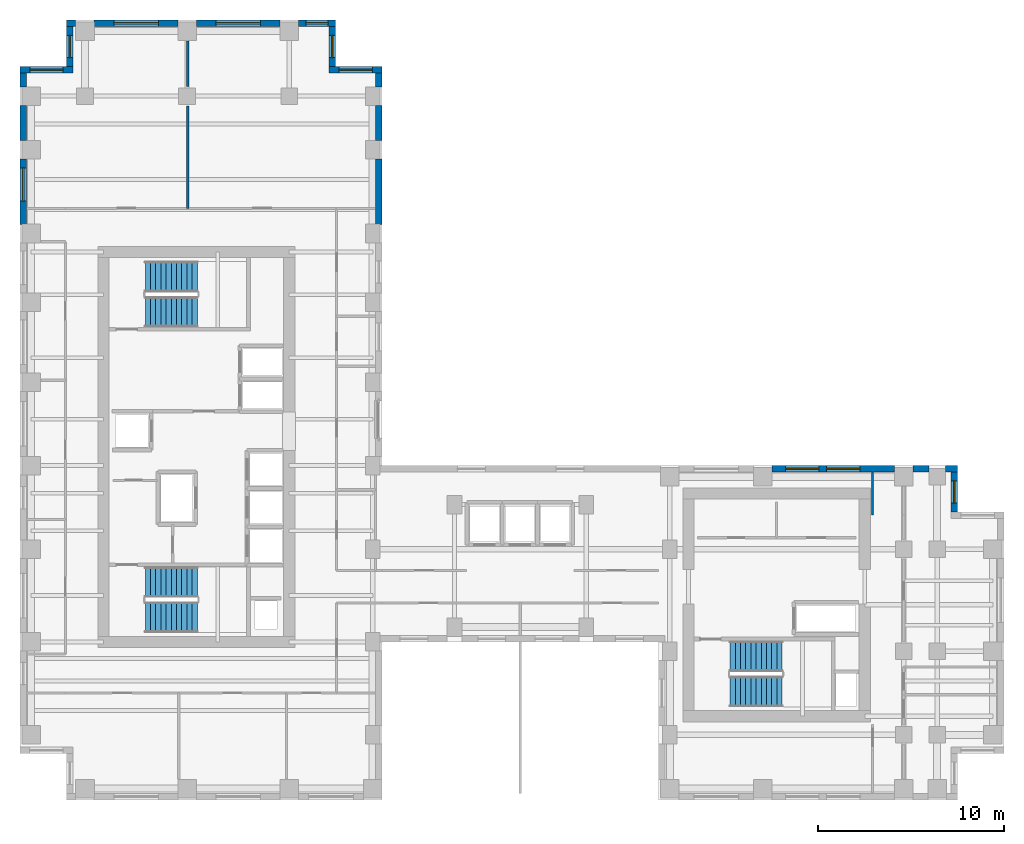
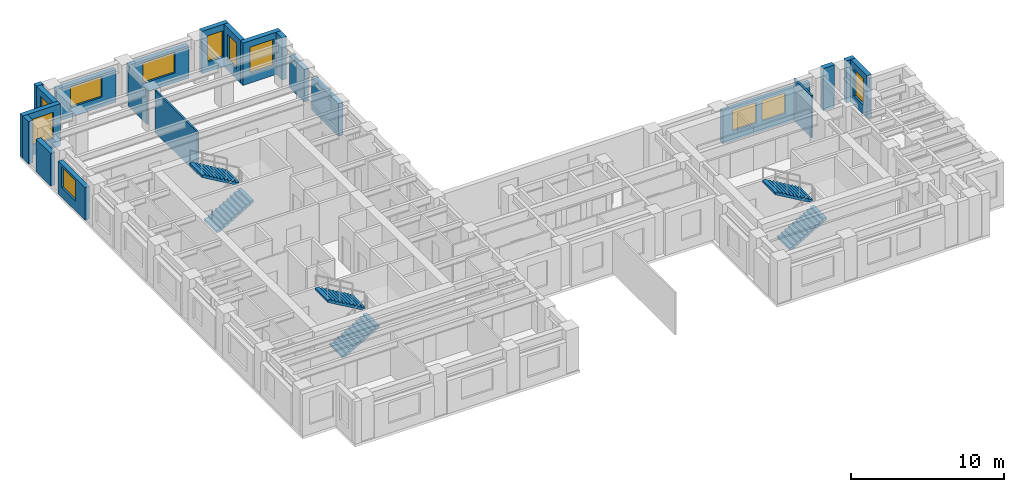
# One storey, part 9 of 11: 21 walls, 11 windows, 6 stair flights, 11 openings, 3 elements without a shape of their own.
"""IFC4 building model written with IfcOpenShell, lengths in metres."""

from ifc_helpers import new_model, si_unit, direction, frame, frame_2d, origin, place, context, subcontext, project, spatial, polyline, rectangle, outline, extrude, source, transform, mapped, material, layer, layer_set, type_object, element, fill, aggregate, save


model = new_model("IFC4")

# Units and contexts
model_context = context("Model", 3, precision=1e-05, world=origin(), true_north=direction((0.0, 1.0)))
body_context = subcontext(model_context, "Body", "Model", "MODEL_VIEW")
ifc_project = project(units=[si_unit("LENGTHUNIT", "METRE"), si_unit("AREAUNIT", "SQUARE_METRE"), si_unit("VOLUMEUNIT", "CUBIC_METRE"), si_unit("PLANEANGLEUNIT", "RADIAN"), si_unit("MASSUNIT", "GRAM", prefix="KILO")], contexts=[model_context])

# Site, building, storey
site_placement = place(None, origin())
site = spatial("IfcSite", under=ifc_project, at=site_placement, CompositionType="ELEMENT")
building_placement = place(site_placement, origin())
building = spatial("IfcBuilding", under=site, at=building_placement, Name="Kharzan Plaza Tower", CompositionType="ELEMENT")
storey_placement = place(building_placement, frame((0.0, 0.0, 182.699951171875)))
storey = spatial("IfcBuildingStorey", under=building, at=storey_placement, Name="L49", CompositionType="ELEMENT", Elevation=182.699951171875)

# Wall, opening, window
ifc_material_1 = material(Name="Concrete C40/50", Category="concrete")
ifc_layer_1 = layer(ifc_material_1, 0.35009765625)
ifc_layer_set_1 = layer_set([ifc_layer_1], Name="Concrete C40/50")
wall_type_1 = type_object("IfcWallType", Name="WL-EXT-MAS-Z3", PredefinedType="SOLIDWALL", material=ifc_layer_set_1)
wall_1_placement = place(storey_placement, frame((19.5, 39.324951171875, 0.0), z_axis=(0.0, 0.0, 1.0), x_axis=(-1.0, 0.0, 0.0)))
wall_1 = element("IfcWall", 1, at=wall_1_placement, inside=storey, type_object=wall_type_1, Name="L49 Masonry-Frame Exterior Wall 01", PredefinedType="SOLIDWALL", context=body_context, shape_type="SweptSolid", body=[
    extrude(rectangle(XDim=2.85009765625, YDim=0.35009765625, at=frame_2d((1.425048828125, 0.0))), origin(), (0.0, 0.0, 1.0), 3.385009765625),
])
opening_1_placement = place(wall_1_placement, frame((0.52490234375, 0.0, 0.780029296875)))
opening_1 = element("IfcOpeningElement", 2, at=opening_1_placement, cuts=wall_1, Name="Opening W1", PredefinedType="OPENING", context=body_context, shape_type="SweptSolid", body=[
    extrude(rectangle(XDim=1.800048828125, YDim=2.10009765625, at=frame_2d((0.89990234375, 1.050048828125))), frame((0.0, 0.18505859375, 0.0), z_axis=(0.0, -1.0, 0.0), x_axis=(1.0, 0.0, 0.0)), (0.0, 0.0, 1.0), 0.3701171875),
])
ifc_material_2 = material(Name="Low-E Double Glazing", Category="glass")
window_type_1 = type_object("IfcWindowType", Name="WN-REC-1800x2100", PartitioningType="SINGLE_PANEL", PredefinedType="WINDOW", material=ifc_material_2)
shared_shape_1 = source(origin(), body_context, "Body", "SweptSolid", [
    extrude(rectangle(XDim=1.800048828125, YDim=2.10009765625, at=frame_2d((0.89990234375, 1.050048828125))), frame((0.0, 0.030029296875, 0.0), z_axis=(0.0, -1.0, 0.0), x_axis=(1.0, 0.0, 0.0)), (0.0, 0.0, 1.0), 0.06005859375),
])
window_1_placement = place(opening_1_placement, origin())
window_1 = element("IfcWindow", 3, at=window_1_placement, inside=storey, type_object=window_type_1, Name="L49 Recessed Solar-Control Window 01-1", OverallHeight=2.10009765625, OverallWidth=1.800048828125, PartitioningType="SINGLE_PANEL", PredefinedType="WINDOW", context=body_context, shape_type="MappedRepresentation", body=[
    mapped(shared_shape_1, transform((0.0, 0.0, 0.0), x_axis=(1.0, 0.0, 0.0), y_axis=(0.0, 1.0, 0.0), z_axis=(0.0, 0.0, 1.0))),
])
fill(opening_1, window_1)

wall_2_placement = place(storey_placement, frame((16.824951171875, 39.498046875, 0.0), z_axis=(0.0, 0.0, 1.0), x_axis=(0.0, 1.0, 0.0)))
wall_2 = element("IfcWall", 4, at=wall_2_placement, inside=storey, type_object=wall_type_1, Name="L49 Masonry-Frame Exterior Wall 02", PredefinedType="SOLIDWALL", context=body_context, shape_type="SweptSolid", body=[
    extrude(rectangle(XDim=2.154052734375, YDim=0.35009765625, at=frame_2d((1.0771484375, 0.0))), origin(), (0.0, 0.0, 1.0), 3.385009765625),
])
opening_2_placement = place(wall_2_placement, frame((0.47705078125, 0.0, 0.780029296875)))
opening_2 = element("IfcOpeningElement", 5, at=opening_2_placement, cuts=wall_2, Name="Opening W3", PredefinedType="OPENING", context=body_context, shape_type="SweptSolid", body=[
    extrude(rectangle(XDim=1.199951171875, YDim=2.10009765625, at=frame_2d((0.60009765625, 1.050048828125))), frame((0.0, 0.18505859375, 0.0), z_axis=(0.0, -1.0, 0.0), x_axis=(1.0, 0.0, 0.0)), (0.0, 0.0, 1.0), 0.3701171875),
])
window_type_2 = type_object("IfcWindowType", Name="WN-REC-1200x2100", PartitioningType="SINGLE_PANEL", PredefinedType="WINDOW", material=ifc_material_2)
shared_shape_2 = source(origin(), body_context, "Body", "SweptSolid", [
    extrude(rectangle(XDim=1.199951171875, YDim=2.10009765625, at=frame_2d((0.60009765625, 1.050048828125))), frame((0.0, 0.030029296875, 0.0), z_axis=(0.0, -1.0, 0.0), x_axis=(1.0, 0.0, 0.0)), (0.0, 0.0, 1.0), 0.06005859375),
])
window_2_placement = place(opening_2_placement, origin())
window_2 = element("IfcWindow", 6, at=window_2_placement, inside=storey, type_object=window_type_2, Name="L49 Recessed Solar-Control Window 02-1", OverallHeight=2.10009765625, OverallWidth=1.199951171875, PartitioningType="SINGLE_PANEL", PredefinedType="WINDOW", context=body_context, shape_type="MappedRepresentation", body=[
    mapped(shared_shape_2, transform((0.0, 0.0, 0.0), x_axis=(1.0, 0.0, 0.0), y_axis=(0.0, 1.0, 0.0), z_axis=(0.0, 0.0, 1.0))),
])
fill(opening_2, window_2)

wall_3_placement = place(storey_placement, frame((17.0, 41.824951171875, 0.0), z_axis=(0.0, 0.0, 1.0), x_axis=(-1.0, 0.0, 0.0)))
wall_3 = element("IfcWall", 7, at=wall_3_placement, inside=storey, type_object=wall_type_1, Name="L49 Masonry-Frame Exterior Wall 03", PredefinedType="SOLIDWALL", context=body_context, shape_type="SweptSolid", body=[
    extrude(rectangle(XDim=2.001953125, YDim=0.35009765625, at=frame_2d((1.0009765625, 0.0))), origin(), (0.0, 0.0, 1.0), 3.385009765625),
])
opening_3_placement = place(wall_3_placement, frame((0.40087890625, 0.0, 0.780029296875)))
opening_3 = element("IfcOpeningElement", 8, at=opening_3_placement, cuts=wall_3, Name="Opening W3", PredefinedType="OPENING", context=body_context, shape_type="SweptSolid", body=[
    extrude(rectangle(XDim=1.199951171875, YDim=2.10009765625, at=frame_2d((0.60009765625, 1.050048828125))), frame((0.0, 0.18505859375, 0.0), z_axis=(0.0, -1.0, 0.0), x_axis=(1.0, 0.0, 0.0)), (0.0, 0.0, 1.0), 0.3701171875),
])
window_3_placement = place(opening_3_placement, origin())
window_3 = element("IfcWindow", 9, at=window_3_placement, inside=storey, type_object=window_type_2, Name="L49 Recessed Solar-Control Window 03-1", OverallHeight=2.10009765625, OverallWidth=1.199951171875, PartitioningType="SINGLE_PANEL", PredefinedType="WINDOW", context=body_context, shape_type="MappedRepresentation", body=[
    mapped(shared_shape_2, transform((0.0, 0.0, 0.0), x_axis=(1.0, 0.0, 0.0), y_axis=(0.0, 1.0, 0.0), z_axis=(0.0, 0.0, 1.0))),
])
fill(opening_3, window_3)

wall_4_placement = place(storey_placement, frame((14.001953125, 41.824951171875, 0.0), z_axis=(0.0, 0.0, 1.0), x_axis=(-1.0, 0.0, 0.0)))
wall_4 = element("IfcWall", 10, at=wall_4_placement, inside=storey, type_object=wall_type_1, Name="L49 Masonry-Frame Exterior Wall 04", PredefinedType="SOLIDWALL", context=body_context, shape_type="SweptSolid", body=[
    extrude(rectangle(XDim=4.50390625, YDim=0.35009765625, at=frame_2d((2.251953125, 0.0))), origin(), (0.0, 0.0, 1.0), 2.612060546875),
])
opening_4_placement = place(wall_4_placement, frame((1.052001953125, 0.0, 0.780029296875)))
opening_4 = element("IfcOpeningElement", 11, at=opening_4_placement, cuts=wall_4, Name="Opening W2", PredefinedType="OPENING", context=body_context, shape_type="SweptSolid", body=[
    extrude(rectangle(XDim=2.39990234375, YDim=1.652099609375, at=frame_2d((1.199951171875, 0.826171875))), frame((0.0, 0.18505859375, 0.0), z_axis=(0.0, -1.0, 0.0), x_axis=(1.0, 0.0, 0.0)), (0.0, 0.0, 1.0), 0.3701171875),
])
window_type_3 = type_object("IfcWindowType", Name="WN-REC-2400x2100", PartitioningType="SINGLE_PANEL", PredefinedType="WINDOW", material=ifc_material_2)
shared_shape_3 = source(origin(), body_context, "Body", "SweptSolid", [
    extrude(rectangle(XDim=2.39990234375, YDim=1.652099609375, at=frame_2d((1.199951171875, 0.826171875))), frame((0.0, 0.030029296875, 0.0), z_axis=(0.0, -1.0, 0.0), x_axis=(1.0, 0.0, 0.0)), (0.0, 0.0, 1.0), 0.06005859375),
])
window_4_placement = place(opening_4_placement, origin())
window_4 = element("IfcWindow", 12, at=window_4_placement, inside=storey, type_object=window_type_3, Name="L49 Wide Recessed Solar-Control Window 04-1", OverallHeight=1.652099609375, OverallWidth=2.39990234375, PartitioningType="SINGLE_PANEL", PredefinedType="WINDOW", context=body_context, shape_type="MappedRepresentation", body=[
    mapped(shared_shape_3, transform((0.0, 0.0, 0.0), x_axis=(1.0, 0.0, 0.0), y_axis=(0.0, 1.0, 0.0), z_axis=(0.0, 0.0, 1.0))),
])
fill(opening_4, window_4)

wall_5_placement = place(storey_placement, frame((8.501953125, 41.824951171875, 0.0), z_axis=(0.0, 0.0, 1.0), x_axis=(-1.0, 0.0, 0.0)))
wall_5 = element("IfcWall", 13, at=wall_5_placement, inside=storey, type_object=wall_type_1, Name="L49 Masonry-Frame Exterior Wall 05", PredefinedType="SOLIDWALL", context=body_context, shape_type="SweptSolid", body=[
    extrude(rectangle(XDim=4.50390625, YDim=0.35009765625, at=frame_2d((2.251953125, 0.0))), origin(), (0.0, 0.0, 1.0), 2.612060546875),
])
opening_5_placement = place(wall_5_placement, frame((1.052001953125, 0.0, 0.780029296875)))
opening_5 = element("IfcOpeningElement", 14, at=opening_5_placement, cuts=wall_5, Name="Opening W2", PredefinedType="OPENING", context=body_context, shape_type="SweptSolid", body=[
    extrude(rectangle(XDim=2.39990234375, YDim=1.652099609375, at=frame_2d((1.199951171875, 0.826171875))), frame((0.0, 0.18505859375, 0.0), z_axis=(0.0, -1.0, 0.0), x_axis=(1.0, 0.0, 0.0)), (0.0, 0.0, 1.0), 0.3701171875),
])
window_5_placement = place(opening_5_placement, origin())
window_5 = element("IfcWindow", 15, at=window_5_placement, inside=storey, type_object=window_type_3, Name="L49 Wide Recessed Solar-Control Window 05-1", OverallHeight=1.652099609375, OverallWidth=2.39990234375, PartitioningType="SINGLE_PANEL", PredefinedType="WINDOW", context=body_context, shape_type="MappedRepresentation", body=[
    mapped(shared_shape_3, transform((0.0, 0.0, 0.0), x_axis=(1.0, 0.0, 0.0), y_axis=(0.0, 1.0, 0.0), z_axis=(0.0, 0.0, 1.0))),
])
fill(opening_5, window_5)

wall_6_placement = place(storey_placement, frame((2.675048828125, 41.652099609375, 0.0), z_axis=(0.0, 0.0, 1.0), x_axis=(0.0, -1.0, 0.0)))
wall_6 = element("IfcWall", 16, at=wall_6_placement, inside=storey, type_object=wall_type_1, Name="L49 Masonry-Frame Exterior Wall 07", PredefinedType="SOLIDWALL", context=body_context, shape_type="SweptSolid", body=[
    extrude(rectangle(XDim=2.154052734375, YDim=0.35009765625, at=frame_2d((1.0771484375, 0.0))), origin(), (0.0, 0.0, 1.0), 3.385009765625),
])
opening_6_placement = place(wall_6_placement, frame((0.47705078125, 0.0, 0.780029296875)))
opening_6 = element("IfcOpeningElement", 17, at=opening_6_placement, cuts=wall_6, Name="Opening W3", PredefinedType="OPENING", context=body_context, shape_type="SweptSolid", body=[
    extrude(rectangle(XDim=1.199951171875, YDim=2.10009765625, at=frame_2d((0.60009765625, 1.050048828125))), frame((0.0, 0.18505859375, 0.0), z_axis=(0.0, -1.0, 0.0), x_axis=(1.0, 0.0, 0.0)), (0.0, 0.0, 1.0), 0.3701171875),
])
window_6_placement = place(opening_6_placement, origin())
window_6 = element("IfcWindow", 18, at=window_6_placement, inside=storey, type_object=window_type_2, Name="L49 Recessed Solar-Control Window 07-1", OverallHeight=2.10009765625, OverallWidth=1.199951171875, PartitioningType="SINGLE_PANEL", PredefinedType="WINDOW", context=body_context, shape_type="MappedRepresentation", body=[
    mapped(shared_shape_2, transform((0.0, 0.0, 0.0), x_axis=(1.0, 0.0, 0.0), y_axis=(0.0, 1.0, 0.0), z_axis=(0.0, 0.0, 1.0))),
])
fill(opening_6, window_6)

wall_7_placement = place(storey_placement, frame((2.85009765625, 39.324951171875, 0.0), z_axis=(0.0, 0.0, 1.0), x_axis=(-1.0, 0.0, 0.0)))
wall_7 = element("IfcWall", 19, at=wall_7_placement, inside=storey, type_object=wall_type_1, Name="L49 Masonry-Frame Exterior Wall 08", PredefinedType="SOLIDWALL", context=body_context, shape_type="SweptSolid", body=[
    extrude(rectangle(XDim=2.85009765625, YDim=0.35009765625, at=frame_2d((1.425048828125, 0.0))), origin(), (0.0, 0.0, 1.0), 3.385009765625),
])
opening_7_placement = place(wall_7_placement, frame((0.52490234375, 0.0, 0.780029296875)))
opening_7 = element("IfcOpeningElement", 20, at=opening_7_placement, cuts=wall_7, Name="Opening W1", PredefinedType="OPENING", context=body_context, shape_type="SweptSolid", body=[
    extrude(rectangle(XDim=1.800048828125, YDim=2.10009765625, at=frame_2d((0.89990234375, 1.050048828125))), frame((0.0, 0.18505859375, 0.0), z_axis=(0.0, -1.0, 0.0), x_axis=(1.0, 0.0, 0.0)), (0.0, 0.0, 1.0), 0.3701171875),
])
window_7_placement = place(opening_7_placement, origin())
window_7 = element("IfcWindow", 21, at=window_7_placement, inside=storey, type_object=window_type_1, Name="L49 Recessed Solar-Control Window 08-1", OverallHeight=2.10009765625, OverallWidth=1.800048828125, PartitioningType="SINGLE_PANEL", PredefinedType="WINDOW", context=body_context, shape_type="MappedRepresentation", body=[
    mapped(shared_shape_1, transform((0.0, 0.0, 0.0), x_axis=(1.0, 0.0, 0.0), y_axis=(0.0, 1.0, 0.0), z_axis=(0.0, 0.0, 1.0))),
])
fill(opening_7, window_7)

wall_8_placement = place(storey_placement, frame((0.175048828125, 34.501953125, 0.0), z_axis=(0.0, 0.0, 1.0), x_axis=(0.0, -1.0, 0.0)))
wall_8 = element("IfcWall", 22, at=wall_8_placement, inside=storey, type_object=wall_type_1, Name="L49 Masonry-Frame Exterior Wall 11", PredefinedType="SOLIDWALL", context=body_context, shape_type="SweptSolid", body=[
    extrude(rectangle(XDim=3.50390625, YDim=0.35009765625, at=frame_2d((1.751953125, 0.0))), origin(), (0.0, 0.0, 1.0), 2.612060546875),
])
opening_8_placement = place(wall_8_placement, frame((0.4609375, 0.0, 0.780029296875)))
opening_8 = element("IfcOpeningElement", 23, at=opening_8_placement, cuts=wall_8, Name="Opening W1", PredefinedType="OPENING", context=body_context, shape_type="SweptSolid", body=[
    extrude(rectangle(XDim=1.800048828125, YDim=1.652099609375, at=frame_2d((0.89990234375, 0.826171875))), frame((0.0, 0.18505859375, 0.0), z_axis=(0.0, -1.0, 0.0), x_axis=(1.0, 0.0, 0.0)), (0.0, 0.0, 1.0), 0.3701171875),
])
shared_shape_4 = source(origin(), body_context, "Body", "SweptSolid", [
    extrude(rectangle(XDim=1.800048828125, YDim=1.652099609375, at=frame_2d((0.89990234375, 0.826171875))), frame((0.0, 0.030029296875, 0.0), z_axis=(0.0, -1.0, 0.0), x_axis=(1.0, 0.0, 0.0)), (0.0, 0.0, 1.0), 0.06005859375),
])
window_8_placement = place(opening_8_placement, origin())
window_8 = element("IfcWindow", 24, at=window_8_placement, inside=storey, type_object=window_type_1, Name="L49 Recessed Solar-Control Window 11-1", OverallHeight=1.652099609375, OverallWidth=1.800048828125, PartitioningType="SINGLE_PANEL", PredefinedType="WINDOW", context=body_context, shape_type="MappedRepresentation", body=[
    mapped(shared_shape_4, transform((0.0, 0.0, 0.0), x_axis=(1.0, 0.0, 0.0), y_axis=(0.0, 1.0, 0.0), z_axis=(0.0, 0.0, 1.0))),
])
fill(opening_8, window_8)

wall_9_placement = place(storey_placement, frame((50.324951171875, 15.498046875, 0.0), z_axis=(0.0, 0.0, 1.0), x_axis=(0.0, 1.0, 0.0)))
wall_9 = element("IfcWall", 25, at=wall_9_placement, inside=storey, type_object=wall_type_1, Name="L49 Masonry-Frame Exterior Wall 41", PredefinedType="SOLIDWALL", context=body_context, shape_type="SweptSolid", body=[
    extrude(rectangle(XDim=2.154052734375, YDim=0.35009765625, at=frame_2d((1.0771484375, 0.0))), origin(), (0.0, 0.0, 1.0), 3.385009765625),
])
opening_9_placement = place(wall_9_placement, frame((0.47705078125, 0.0, 0.780029296875)))
opening_9 = element("IfcOpeningElement", 26, at=opening_9_placement, cuts=wall_9, Name="Opening W3", PredefinedType="OPENING", context=body_context, shape_type="SweptSolid", body=[
    extrude(rectangle(XDim=1.199951171875, YDim=2.10009765625, at=frame_2d((0.60009765625, 1.050048828125))), frame((0.0, 0.18505859375, 0.0), z_axis=(0.0, -1.0, 0.0), x_axis=(1.0, 0.0, 0.0)), (0.0, 0.0, 1.0), 0.3701171875),
])
window_9_placement = place(opening_9_placement, origin())
window_9 = element("IfcWindow", 27, at=window_9_placement, inside=storey, type_object=window_type_2, Name="L49 Recessed Solar-Control Window 41-1", OverallHeight=2.10009765625, OverallWidth=1.199951171875, PartitioningType="SINGLE_PANEL", PredefinedType="WINDOW", context=body_context, shape_type="MappedRepresentation", body=[
    mapped(shared_shape_2, transform((0.0, 0.0, 0.0), x_axis=(1.0, 0.0, 0.0), y_axis=(0.0, 1.0, 0.0), z_axis=(0.0, 0.0, 1.0))),
])
fill(opening_9, window_9)

# Wall, openings, windows
wall_10_placement = place(storey_placement, frame((47.10205078125, 17.824951171875, 0.0), z_axis=(0.0, 0.0, 1.0), x_axis=(-1.0, 0.0, 0.0)))
wall_10 = element("IfcWall", 28, at=wall_10_placement, inside=storey, type_object=wall_type_1, Name="L49 Masonry-Frame Exterior Wall 44", PredefinedType="SOLIDWALL", context=body_context, shape_type="SweptSolid", body=[
    extrude(rectangle(XDim=6.60400390625, YDim=0.35009765625, at=frame_2d((3.302001953125, 0.0))), origin(), (0.0, 0.0, 1.0), 2.612060546875),
])
opening_10_placement = place(wall_10_placement, frame((1.849365234375, 0.0, 0.780029296875)))
opening_10 = element("IfcOpeningElement", 29, at=opening_10_placement, cuts=wall_10, Name="Opening W1", PredefinedType="OPENING", context=body_context, shape_type="SweptSolid", body=[
    extrude(rectangle(XDim=1.800048828125, YDim=1.652099609375, at=frame_2d((0.89990234375, 0.826171875))), frame((0.0, 0.18505859375, 0.0), z_axis=(0.0, -1.0, 0.0), x_axis=(1.0, 0.0, 0.0)), (0.0, 0.0, 1.0), 0.3701171875),
])
opening_11_placement = place(wall_10_placement, frame((4.066650390625, 0.0, 0.780029296875)))
opening_11 = element("IfcOpeningElement", 30, at=opening_11_placement, cuts=wall_10, Name="Opening W1", PredefinedType="OPENING", context=body_context, shape_type="SweptSolid", body=[
    extrude(rectangle(XDim=1.800048828125, YDim=1.652099609375, at=frame_2d((0.89990234375, 0.826171875))), frame((0.0, 0.18505859375, 0.0), z_axis=(0.0, -1.0, 0.0), x_axis=(1.0, 0.0, 0.0)), (0.0, 0.0, 1.0), 0.3701171875),
])
window_10_placement = place(opening_10_placement, origin())
window_10 = element("IfcWindow", 31, at=window_10_placement, inside=storey, type_object=window_type_1, Name="L49 Recessed Solar-Control Window 44-1", OverallHeight=1.652099609375, OverallWidth=1.800048828125, PartitioningType="SINGLE_PANEL", PredefinedType="WINDOW", context=body_context, shape_type="MappedRepresentation", body=[
    mapped(shared_shape_4, transform((0.0, 0.0, 0.0), x_axis=(1.0, 0.0, 0.0), y_axis=(0.0, 1.0, 0.0), z_axis=(0.0, 0.0, 1.0))),
])
fill(opening_10, window_10)
window_11_placement = place(opening_11_placement, origin())
window_11 = element("IfcWindow", 32, at=window_11_placement, inside=storey, type_object=window_type_1, Name="L49 Recessed Solar-Control Window 44-2", OverallHeight=1.652099609375, OverallWidth=1.800048828125, PartitioningType="SINGLE_PANEL", PredefinedType="WINDOW", context=body_context, shape_type="MappedRepresentation", body=[
    mapped(shared_shape_4, transform((0.0, 0.0, 0.0), x_axis=(1.0, 0.0, 0.0), y_axis=(0.0, 1.0, 0.0), z_axis=(0.0, 0.0, 1.0))),
])
fill(opening_11, window_11)

# Walls
shared_shape_5 = source(origin(), body_context, "Body", "SweptSolid", [
    extrude(rectangle(XDim=0.501953125, YDim=0.35009765625, at=frame_2d((0.2509765625, 0.0))), origin(), (0.0, 0.0, 1.0), 3.385009765625),
])
wall_11_placement = place(storey_placement, frame((3.001953125, 41.824951171875, 0.0), z_axis=(0.0, 0.0, 1.0), x_axis=(-1.0, 0.0, 0.0)))
element("IfcWall", 33, at=wall_11_placement, inside=storey, type_object=wall_type_1, Name="L49 Masonry-Frame Exterior Wall 06", PredefinedType="SOLIDWALL", context=body_context, shape_type="MappedRepresentation", body=[
    mapped(shared_shape_5, transform((0.0, 0.0, 0.0), x_axis=(1.0, 0.0, 0.0), y_axis=(0.0, 1.0, 0.0), z_axis=(0.0, 0.0, 1.0))),
])
shared_shape_6 = source(origin(), body_context, "Body", "SweptSolid", [
    extrude(rectangle(XDim=0.754150390625, YDim=0.35009765625, at=frame_2d((0.376953125, 0.0))), origin(), (0.0, 0.0, 1.0), 3.385009765625),
])
for number, where, z_axis, x_axis, name in (
    (34, (0.175048828125, 39.152099609375, 0.0), (0.0, 0.0, 1.0), (0.0, -1.0, 0.0), "L49 Masonry-Frame Exterior Wall 09"),
    (35, (19.324951171875, 38.39794921875, 0.0), (0.0, 0.0, 1.0), (0.0, 1.0, 0.0), "L49 Masonry-Frame Exterior Wall 53"),
):
    element("IfcWall", number, at=place(storey_placement, frame(where, z_axis=z_axis, x_axis=x_axis)), inside=storey, type_object=wall_type_1, Name=name, PredefinedType="SOLIDWALL", context=body_context, shape_type="MappedRepresentation", body=[
        mapped(shared_shape_6, transform((0.0, 0.0, 0.0), x_axis=(1.0, 0.0, 0.0), y_axis=(0.0, 1.0, 0.0), z_axis=(0.0, 0.0, 1.0))),
    ])
shared_shape_7 = source(origin(), body_context, "Body", "SweptSolid", [
    extrude(rectangle(XDim=0.652099609375, YDim=0.35009765625, at=frame_2d((0.326171875, 0.0))), origin(), (0.0, 0.0, 1.0), 3.385009765625),
])
wall_12_placement = place(storey_placement, frame((50.5, 17.824951171875, 0.0), z_axis=(0.0, 0.0, 1.0), x_axis=(-1.0, 0.0, 0.0)))
element("IfcWall", 36, at=wall_12_placement, inside=storey, type_object=wall_type_1, Name="L49 Masonry-Frame Exterior Wall 42", PredefinedType="SOLIDWALL", context=body_context, shape_type="MappedRepresentation", body=[
    mapped(shared_shape_7, transform((0.0, 0.0, 0.0), x_axis=(1.0, 0.0, 0.0), y_axis=(0.0, 1.0, 0.0), z_axis=(0.0, 0.0, 1.0))),
])
shared_shape_8 = source(origin(), body_context, "Body", "SweptSolid", [
    extrude(rectangle(XDim=0.85400390625, YDim=0.35009765625, at=frame_2d((0.427001953125, 0.0))), origin(), (0.0, 0.0, 1.0), 3.385009765625),
])
wall_13_placement = place(storey_placement, frame((48.951904296875, 17.824951171875, 0.0), z_axis=(0.0, 0.0, 1.0), x_axis=(-1.0, 0.0, 0.0)))
element("IfcWall", 37, at=wall_13_placement, inside=storey, type_object=wall_type_1, Name="L49 Masonry-Frame Exterior Wall 43", PredefinedType="SOLIDWALL", context=body_context, shape_type="MappedRepresentation", body=[
    mapped(shared_shape_8, transform((0.0, 0.0, 0.0), x_axis=(1.0, 0.0, 0.0), y_axis=(0.0, 1.0, 0.0), z_axis=(0.0, 0.0, 1.0))),
])
ifc_material_3 = material(Name="Fire-Rated Gypsum Board Partition", Category="gypsum")
ifc_layer_2 = layer(ifc_material_3, 0.125)
ifc_layer_set_2 = layer_set([ifc_layer_2], Name="Fire-Rated Gypsum Board Partition")
wall_type_2 = type_object("IfcWallType", Name="WL-INT-PART-125", PredefinedType="PARTITIONING", material=ifc_layer_set_2)
shared_shape_9 = source(origin(), body_context, "Body", "SweptSolid", [
    extrude(rectangle(XDim=2.2978515625, YDim=0.125, at=frame_2d((1.14892578125, 0.0))), origin(), (0.0, 0.0, 1.0), 3.385009765625),
])
wall_14_placement = place(storey_placement, frame((45.919921875, 15.35009765625, 0.0), z_axis=(0.0, 0.0, 1.0), x_axis=(0.0, 1.0, 0.0)))
element("IfcWall", 38, at=wall_14_placement, inside=storey, type_object=wall_type_2, Name="L49 Interior Partition SH-RBNE0", PredefinedType="PARTITIONING", context=body_context, shape_type="MappedRepresentation", body=[
    mapped(shared_shape_9, transform((0.0, 0.0, 0.0), x_axis=(1.0, 0.0, 0.0), y_axis=(0.0, 1.0, 0.0), z_axis=(0.0, 0.0, 1.0))),
])
shared_shape_10 = source(origin(), body_context, "Body", "SweptSolid", [
    extrude(rectangle(XDim=1.904052734375, YDim=0.35009765625, at=frame_2d((0.9521484375, 0.0))), origin(), (0.0, 0.0, 1.0), 2.612060546875),
])
for number, where, z_axis, x_axis, name in (
    (39, (0.175048828125, 37.402099609375, 0.0), (0.0, 0.0, 1.0), (0.0, -1.0, 0.0), "L49 Masonry-Frame Exterior Wall 10"),
    (40, (19.324951171875, 35.498046875, 0.0), (0.0, 0.0, 1.0), (0.0, 1.0, 0.0), "L49 Masonry-Frame Exterior Wall 52"),
):
    element("IfcWall", number, at=place(storey_placement, frame(where, z_axis=z_axis, x_axis=x_axis)), inside=storey, type_object=wall_type_1, Name=name, PredefinedType="SOLIDWALL", context=body_context, shape_type="MappedRepresentation", body=[
        mapped(shared_shape_10, transform((0.0, 0.0, 0.0), x_axis=(1.0, 0.0, 0.0), y_axis=(0.0, 1.0, 0.0), z_axis=(0.0, 0.0, 1.0))),
    ])
shared_shape_11 = source(origin(), body_context, "Body", "SweptSolid", [
    extrude(rectangle(XDim=3.50390625, YDim=0.35009765625, at=frame_2d((1.751953125, 0.0))), origin(), (0.0, 0.0, 1.0), 2.612060546875),
])
wall_15_placement = place(storey_placement, frame((19.324951171875, 30.998046875, 0.0), z_axis=(0.0, 0.0, 1.0), x_axis=(0.0, 1.0, 0.0)))
element("IfcWall", 41, at=wall_15_placement, inside=storey, type_object=wall_type_1, Name="L49 Masonry-Frame Exterior Wall 51", PredefinedType="SOLIDWALL", context=body_context, shape_type="MappedRepresentation", body=[
    mapped(shared_shape_11, transform((0.0, 0.0, 0.0), x_axis=(1.0, 0.0, 0.0), y_axis=(0.0, 1.0, 0.0), z_axis=(0.0, 0.0, 1.0))),
])
shared_shape_12 = source(origin(), body_context, "Body", "SweptSolid", [
    extrude(rectangle(XDim=5.52978515625, YDim=0.125, at=frame_2d((2.764892578125, 0.0))), origin(), (0.0, 0.0, 1.0), 3.385009765625),
])
wall_16_placement = place(storey_placement, frame((9.0390625, 31.85009765625, 0.0), z_axis=(0.0, 0.0, 1.0), x_axis=(0.0, 1.0, 0.0)))
element("IfcWall", 42, at=wall_16_placement, inside=storey, type_object=wall_type_2, Name="L49 Interior Partition SH-NV-1-S1", PredefinedType="PARTITIONING", context=body_context, shape_type="MappedRepresentation", body=[
    mapped(shared_shape_12, transform((0.0, 0.0, 0.0), x_axis=(1.0, 0.0, 0.0), y_axis=(0.0, 1.0, 0.0), z_axis=(0.0, 0.0, 1.0))),
])
shared_shape_13 = source(origin(), body_context, "Body", "SweptSolid", [
    extrude(rectangle(XDim=2.4599609375, YDim=0.125, at=frame_2d((1.22998046875, 0.0))), origin(), (0.0, 0.0, 1.0), 2.77294921875),
])
wall_17_placement = place(storey_placement, frame((9.0390625, 38.419921875, 0.0), z_axis=(0.0, 0.0, 1.0), x_axis=(0.0, 1.0, 0.0)))
element("IfcWall", 43, at=wall_17_placement, inside=storey, type_object=wall_type_2, Name="L49 Interior Partition SH-NV-1-S2", PredefinedType="PARTITIONING", context=body_context, shape_type="MappedRepresentation", body=[
    mapped(shared_shape_13, transform((0.0, 0.0, 0.0), x_axis=(1.0, 0.0, 0.0), y_axis=(0.0, 1.0, 0.0), z_axis=(0.0, 0.0, 1.0))),
])

# Stair, stair flights
stair_type_1 = type_object("IfcStairType", Name="STR-ST-1", PredefinedType="HALF_TURN_STAIR", material=ifc_material_1)
stair_1_placement = place(storey_placement, origin())
stair_1 = element("IfcStair", 44, at=stair_1_placement, inside=storey, type_object=stair_type_1, Name="L49 Protected Exit Stair ST-1", PredefinedType="HALF_TURN_STAIR")
stair_flight_type = type_object("IfcStairFlightType", Name="SFL-1650-R173", PredefinedType="STRAIGHT", material=ifc_material_1)
shared_shape_14 = source(origin(), body_context, "Body", "SweptSolid", [
    extrude(outline(polyline([(-0.0029296875, -0.011962890625), (-0.0029296875, 0.0), (0.0, 0.0), (0.0, 0.16357421875), (0.280029296875, 0.16357421875), (0.280029296875, 0.3271484375), (0.56005859375, 0.3271484375), (0.56005859375, 0.49072265625), (0.840087890625, 0.49072265625), (0.840087890625, 0.654296875), (1.1201171875, 0.654296875), (1.1201171875, 0.81787109375), (1.400146484375, 0.81787109375), (1.400146484375, 0.9814453125), (1.68017578125, 0.9814453125), (1.68017578125, 1.14501953125), (1.960205078125, 1.14501953125), (1.960205078125, 1.30859375), (2.240234375, 1.30859375), (2.240234375, 1.47216796875), (2.520263671875, 1.47216796875), (2.520263671875, 1.6357421875), (2.80029296875, 1.6357421875), (2.80029296875, 1.79931640625), (2.80029296875, 1.462158203125), (0.297119140625, 0.0), (0.297119140625, -0.011962890625), (-0.0029296875, -0.011962890625)])), frame((0.0, 0.824951171875, 0.0), z_axis=(0.0, -1.0, 0.0), x_axis=(1.0, 0.0, 0.0)), (0.0, 0.0, 1.0), 1.64990234375),
])
stair_flight_1_placement = place(storey_placement, frame((6.75, 9.824951171875, 0.0), z_axis=(0.0, 0.0, 1.0), x_axis=(1.0, 0.0, 0.0)))
stair_flight_1 = element("IfcStairFlight", 45, at=stair_flight_1_placement, type_object=stair_flight_type, Name="ST-1 flight 1", NumberOfRisers=11, NumberOfTreads=10, PredefinedType="STRAIGHT", RiserHeight=0.163636364, TreadLength=0.28, context=body_context, shape_type="MappedRepresentation", body=[
    mapped(shared_shape_14, transform((0.0, 0.0, 0.0), x_axis=(1.0, 0.0, 0.0), y_axis=(0.0, 1.0, 0.0), z_axis=(0.0, 0.0, 1.0))),
])
stair_flight_2_placement = place(storey_placement, frame((9.550048828125, 11.72509765625, 1.800048828125), z_axis=(0.0, 0.0, 1.0), x_axis=(-1.0, 0.0, 0.0)))
stair_flight_2 = element("IfcStairFlight", 46, at=stair_flight_2_placement, type_object=stair_flight_type, Name="ST-1 flight 2", NumberOfRisers=11, NumberOfTreads=10, PredefinedType="STRAIGHT", RiserHeight=0.163636364, TreadLength=0.28, context=body_context, shape_type="MappedRepresentation", body=[
    mapped(shared_shape_14, transform((0.0, 0.0, 0.0), x_axis=(1.0, 0.0, 0.0), y_axis=(0.0, 1.0, 0.0), z_axis=(0.0, 0.0, 1.0))),
])
aggregate(stair_1, [stair_flight_1, stair_flight_2])

stair_type_2 = type_object("IfcStairType", Name="STR-ST-2", PredefinedType="HALF_TURN_STAIR", material=ifc_material_1)
stair_2_placement = place(storey_placement, origin())
stair_2 = element("IfcStair", 47, at=stair_2_placement, inside=storey, type_object=stair_type_2, Name="L49 Protected Exit Stair ST-2", PredefinedType="HALF_TURN_STAIR")
stair_flight_3_placement = place(storey_placement, frame((6.75, 26.27490234375, 0.0), z_axis=(0.0, 0.0, 1.0), x_axis=(1.0, 0.0, 0.0)))
stair_flight_3 = element("IfcStairFlight", 48, at=stair_flight_3_placement, type_object=stair_flight_type, Name="ST-2 flight 1", NumberOfRisers=11, NumberOfTreads=10, PredefinedType="STRAIGHT", RiserHeight=0.163636364, TreadLength=0.28, context=body_context, shape_type="MappedRepresentation", body=[
    mapped(shared_shape_14, transform((0.0, 0.0, 0.0), x_axis=(1.0, 0.0, 0.0), y_axis=(0.0, 1.0, 0.0), z_axis=(0.0, 0.0, 1.0))),
])
stair_flight_4_placement = place(storey_placement, frame((9.550048828125, 28.175048828125, 1.800048828125), z_axis=(0.0, 0.0, 1.0), x_axis=(-1.0, 0.0, 0.0)))
stair_flight_4 = element("IfcStairFlight", 49, at=stair_flight_4_placement, type_object=stair_flight_type, Name="ST-2 flight 2", NumberOfRisers=11, NumberOfTreads=10, PredefinedType="STRAIGHT", RiserHeight=0.163636364, TreadLength=0.28, context=body_context, shape_type="MappedRepresentation", body=[
    mapped(shared_shape_14, transform((0.0, 0.0, 0.0), x_axis=(1.0, 0.0, 0.0), y_axis=(0.0, 1.0, 0.0), z_axis=(0.0, 0.0, 1.0))),
])
aggregate(stair_2, [stair_flight_3, stair_flight_4])

stair_type_3 = type_object("IfcStairType", Name="STR-ST-3", PredefinedType="HALF_TURN_STAIR", material=ifc_material_1)
stair_3_placement = place(storey_placement, origin())
stair_3 = element("IfcStair", 50, at=stair_3_placement, inside=storey, type_object=stair_type_3, Name="L49 Protected Exit Stair ST-3", PredefinedType="HALF_TURN_STAIR")
stair_flight_5_placement = place(storey_placement, frame((38.25, 5.824951171875, 0.0), z_axis=(0.0, 0.0, 1.0), x_axis=(1.0, 0.0, 0.0)))
stair_flight_5 = element("IfcStairFlight", 51, at=stair_flight_5_placement, type_object=stair_flight_type, Name="ST-3 flight 1", NumberOfRisers=11, NumberOfTreads=10, PredefinedType="STRAIGHT", RiserHeight=0.163636364, TreadLength=0.28, context=body_context, shape_type="MappedRepresentation", body=[
    mapped(shared_shape_14, transform((0.0, 0.0, 0.0), x_axis=(1.0, 0.0, 0.0), y_axis=(0.0, 1.0, 0.0), z_axis=(0.0, 0.0, 1.0))),
])
stair_flight_6_placement = place(storey_placement, frame((41.050048828125, 7.72509765625, 1.800048828125), z_axis=(0.0, 0.0, 1.0), x_axis=(-1.0, 0.0, 0.0)))
stair_flight_6 = element("IfcStairFlight", 52, at=stair_flight_6_placement, type_object=stair_flight_type, Name="ST-3 flight 2", NumberOfRisers=11, NumberOfTreads=10, PredefinedType="STRAIGHT", RiserHeight=0.163636364, TreadLength=0.28, context=body_context, shape_type="MappedRepresentation", body=[
    mapped(shared_shape_14, transform((0.0, 0.0, 0.0), x_axis=(1.0, 0.0, 0.0), y_axis=(0.0, 1.0, 0.0), z_axis=(0.0, 0.0, 1.0))),
])
aggregate(stair_3, [stair_flight_5, stair_flight_6])

save(model, "model.ifc")
